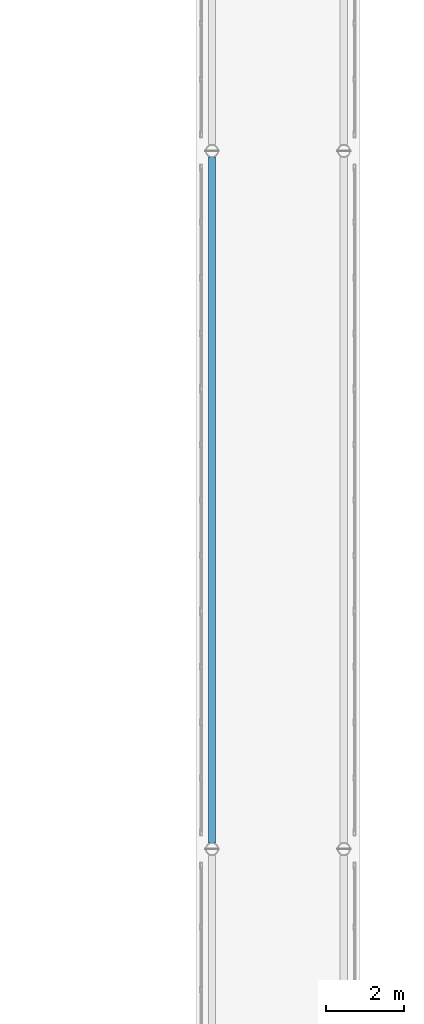
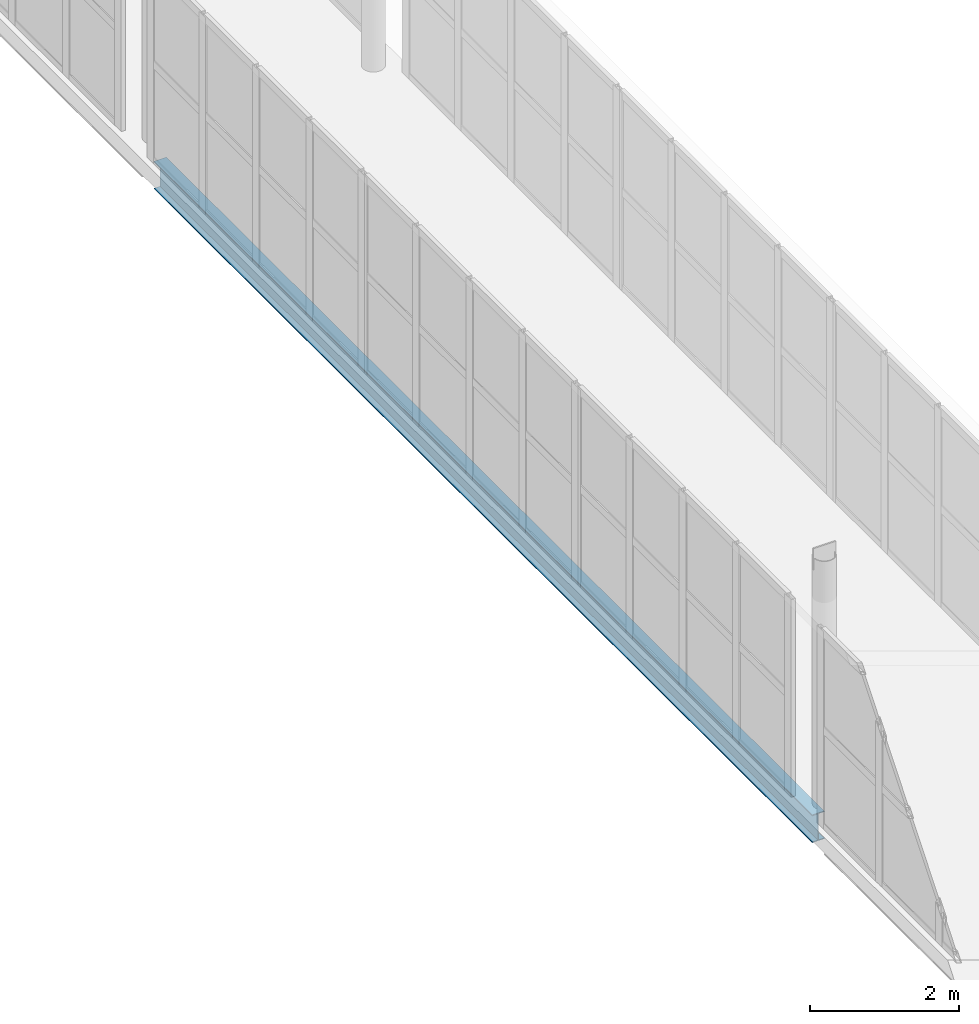
# One storey, part 17 of 52: 1 beam.
"""IFC4 building model written with IfcOpenShell, lengths in metres."""

from ifc_helpers import new_model, si_unit, direction, frame, origin, origin_2d, place, context, subcontext, project, spatial, i_section, extrude, material, material_profile, profile_set, type_object, element, save


model = new_model("IFC4")

# Units and contexts
model_context = context("Model", 3, precision=1e-05, world=origin(), true_north=direction((0.0, 1.0)))
body_context = subcontext(model_context, "Body", "Model", "MODEL_VIEW")
ifc_project = project(units=[si_unit("LENGTHUNIT", "METRE"), si_unit("AREAUNIT", "SQUARE_METRE"), si_unit("VOLUMEUNIT", "CUBIC_METRE"), si_unit("PLANEANGLEUNIT", "RADIAN"), si_unit("MASSUNIT", "GRAM", prefix="KILO")], contexts=[model_context])

# Site, building, storey
site_placement = place(None, origin())
site = spatial("IfcSite", under=ifc_project, at=site_placement, CompositionType="ELEMENT")
building_placement = place(site_placement, origin())
building = spatial("IfcBuilding", under=site, at=building_placement, Name="Valcora Specialist Clinic", CompositionType="ELEMENT")
storey_placement = place(building_placement, frame((0.0, 0.0, 17.679931640625)))
storey = spatial("IfcBuildingStorey", under=building, at=storey_placement, Name="L04", CompositionType="ELEMENT", Elevation=17.679931640625)

# Beam
ifc_material = material(Name="Steel ASTM A992 Grade 50", Category="steel")
ifc_material_profile = material_profile(ifc_material, i_section(OverallWidth=0.18994140625, OverallDepth=0.45703125, WebThickness=0.009033203125, FlangeThickness=0.014892578125, at=origin_2d()), Name="ST-IR-460X190")
ifc_profile_set = profile_set([ifc_material_profile], Name="Steel ASTM A992 Grade 50")
beam_type = type_object("IfcBeamType", Name="TY-BG-IR460", PredefinedType="HOLLOWCORE", material=ifc_profile_set)
beam_placement = place(storey_placement, frame((61.60009765625, 38.159912109375, -0.482421875), z_axis=(0.0, 1.0, 0.0), x_axis=(-1.0, 0.0, 0.0)))
element("IfcBeam", 1, at=beam_placement, inside=storey, type_object=beam_type, Name="Bridge girder BM-L04-1631", PredefinedType="HOLLOWCORE", context=body_context, shape_type="SweptSolid", body=[
    extrude(i_section(OverallWidth=0.18994140625, OverallDepth=0.45703125, WebThickness=0.009033203125, FlangeThickness=0.014892578125, at=origin_2d()), origin(), (0.0, 0.0, 1.0), 17.68017578125),
])

save(model, "model.ifc")
